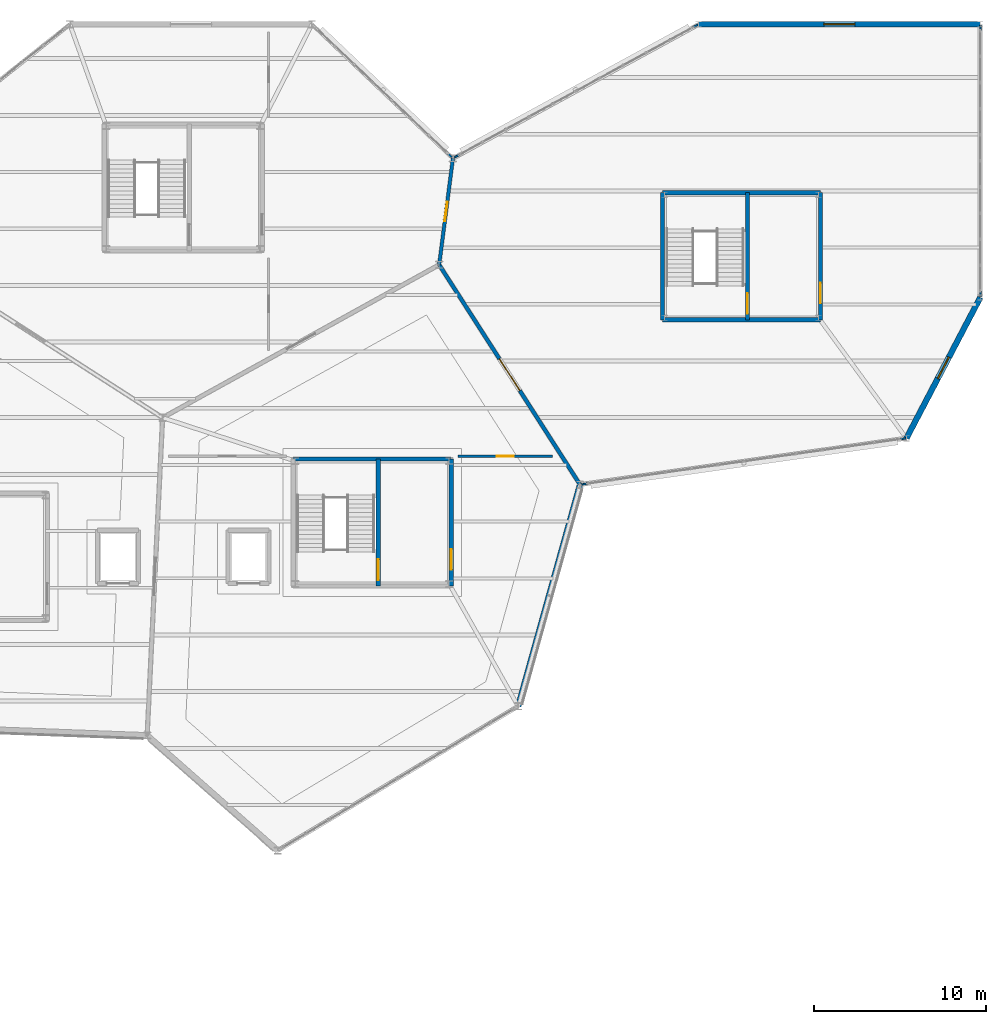
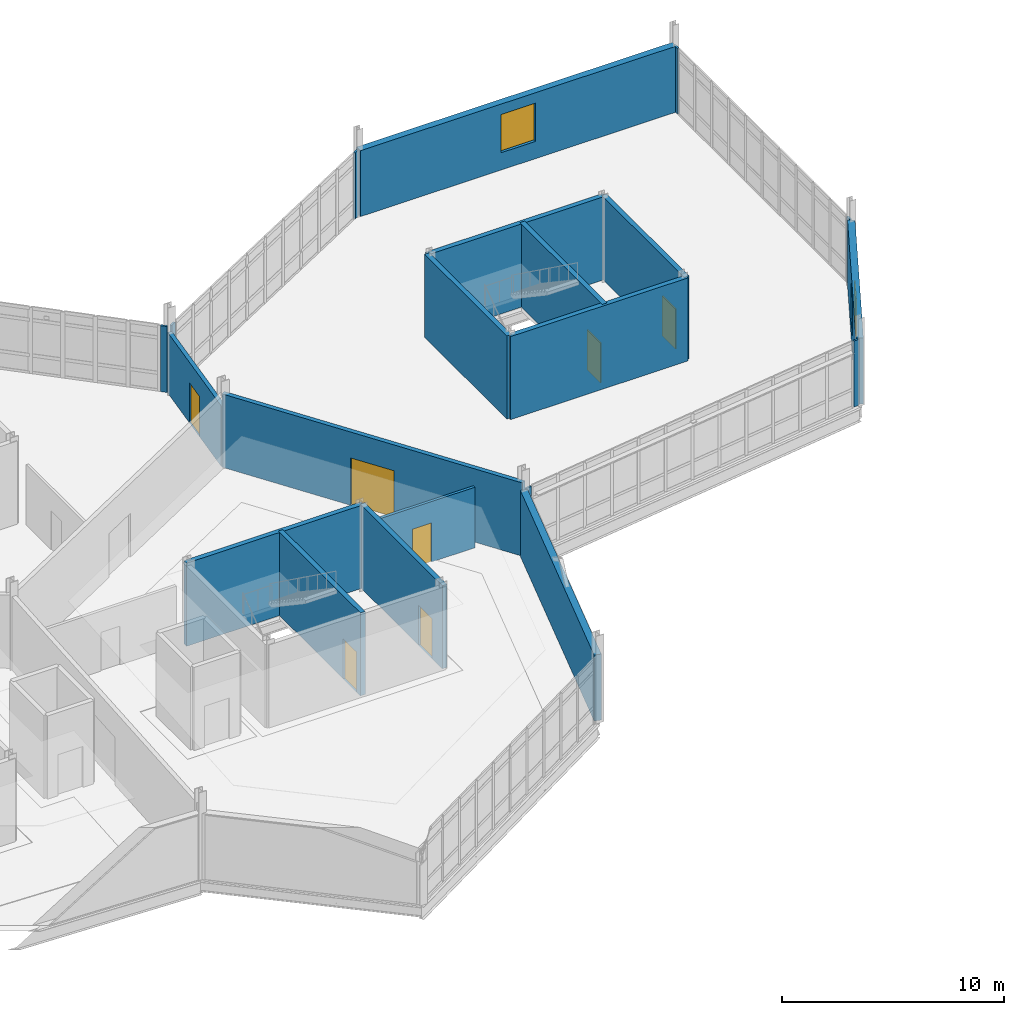
# One storey, part 119 of 134: 21 walls, 7 doors, 2 windows, 9 openings.
"""IFC4 building model written with IfcOpenShell, lengths in metres."""

from ifc_helpers import new_model, si_unit, direction, frame, frame_2d, origin, place, context, subcontext, project, spatial, rectangle, extrude, material, layer, layer_set, type_object, element, fill, save


model = new_model("IFC4")

# Units and contexts
model_context = context("Model", 3, precision=1e-05, world=origin(), true_north=direction((0.0, 1.0)))
body_context = subcontext(model_context, "Body", "Model", "MODEL_VIEW")
ifc_project = project(units=[si_unit("LENGTHUNIT", "METRE"), si_unit("AREAUNIT", "SQUARE_METRE"), si_unit("VOLUMEUNIT", "CUBIC_METRE"), si_unit("PLANEANGLEUNIT", "RADIAN"), si_unit("MASSUNIT", "GRAM", prefix="KILO")], contexts=[model_context])

# Site, building, storey
site_placement = place(None, origin())
site = spatial("IfcSite", under=ifc_project, at=site_placement, CompositionType="ELEMENT")
building_placement = place(site_placement, origin())
building = spatial("IfcBuilding", under=site, at=building_placement, Name="Tameran Prism Museum", CompositionType="ELEMENT")
storey_placement = place(building_placement, frame((0.0, 0.0, 5.39990234375)))
storey = spatial("IfcBuildingStorey", under=building, at=storey_placement, Name="L01", CompositionType="ELEMENT", Elevation=5.39990234375)

# Walls
ifc_material_1 = material(Name="Precast Concrete N40 (40 MPa)", Category="concrete")
ifc_layer_1 = layer(ifc_material_1, 0.094970703125)
ifc_layer_set_1 = layer_set([ifc_layer_1])
wall_type_1 = type_object("IfcWallType", Name="EW-CLOS-095", PredefinedType="SOLIDWALL", material=ifc_layer_set_1)
wall_1_placement = place(storey_placement, frame((135.403076171875, 104.48193359375, 0.0), z_axis=(0.0, 0.0, 1.0), x_axis=(0.726243974232, -0.687437044311, 0.0)))
element("IfcWall", 1, at=wall_1_placement, inside=storey, type_object=wall_type_1, Name="Facade Corner Closure EW-0172", PredefinedType="SOLIDWALL", context=body_context, shape_type="SweptSolid", body=[
    extrude(rectangle(XDim=0.308349609375, YDim=0.094970703125, at=frame_2d((0.154296875, 0.0))), origin(), (0.0, 0.0, 1.0), 3.6201171875),
])
for number, where, z_axis, x_axis, name in (
    (2, (162.05810546875, 87.89404296875, 0.0), (0.0, 0.0, 1.0), (-0.990232667812, -0.139424759628, 0.0), "Facade Corner Closure EW-0177"),
    (3, (143.506103515625, 85.257080078125, 0.0), (0.0, 0.0, 1.0), (-0.990232667812, -0.139424759628, 0.0), "Facade Corner Closure EW-0178"),
    (4, (166.39990234375, 111.9580078125, 0.0), (0.0, 0.0, 1.0), (0.0, -1.0, 0.0), "Facade Corner Closure EW-0180"),
):
    element("IfcWall", number, at=place(storey_placement, frame(where, z_axis=z_axis, x_axis=x_axis)), inside=storey, type_object=wall_type_1, Name=name, PredefinedType="SOLIDWALL", context=body_context, shape_type="SweptSolid", body=[
        extrude(rectangle(XDim=0.30810546875, YDim=0.094970703125, at=frame_2d((0.154052734375, 0.0))), origin(), (0.0, 0.0, 1.0), 3.6201171875),
    ])
for number, where, z_axis, x_axis, name in (
    (5, (166.39990234375, 96.449951171875, 0.0), (0.0, 0.0, 1.0), (0.0, -1.0, 0.0), "Facade Corner Closure EW-0181"),
    (6, (135.7900390625, 104.2490234375, 0.0), (0.0, 0.0, 1.0), (0.876984894636, 0.480517944077, 0.0), "Facade Corner Closure EW-0183"),
):
    element("IfcWall", number, at=place(storey_placement, frame(where, z_axis=z_axis, x_axis=x_axis)), inside=storey, type_object=wall_type_1, Name=name, PredefinedType="SOLIDWALL", context=body_context, shape_type="SweptSolid", body=[
        extrude(rectangle(XDim=0.307861328125, YDim=0.094970703125, at=frame_2d((0.15380859375, 0.0))), origin(), (0.0, 0.0, 1.0), 3.6201171875),
    ])
wall_2_placement = place(storey_placement, frame((149.693115234375, 111.83203125, 0.0), z_axis=(0.0, 0.0, 1.0), x_axis=(0.876801617046, 0.480852289529, 0.0)))
element("IfcWall", 7, at=wall_2_placement, inside=storey, type_object=wall_type_1, Name="Facade Corner Closure EW-0184", PredefinedType="SOLIDWALL", context=body_context, shape_type="SweptSolid", body=[
    extrude(rectangle(XDim=0.3076171875, YDim=0.094970703125, at=frame_2d((0.15380859375, 0.0))), origin(), (0.0, 0.0, 1.0), 3.6201171875),
])
ifc_material_2 = material(Name="Precast Concrete N40 (40 MPa)", Category="concrete")
ifc_layer_2 = layer(ifc_material_2, 0.340087890625)
ifc_layer_set_2 = layer_set([ifc_layer_2])
wall_type_2 = type_object("IfcWallType", Name="EW-GAL-340", PredefinedType="SOLIDWALL", material=ifc_layer_set_2)
wall_3_placement = place(storey_placement, frame((143.083984375, 85.14208984375, 0.0), z_axis=(0.0, 0.0, 1.0), x_axis=(-0.268810029922, -0.963193214165, 0.0)))
element("IfcWall", 8, at=wall_3_placement, inside=storey, type_object=wall_type_2, Name="Exterior Fluted Precast Wall EW-0170", PredefinedType="SOLIDWALL", context=body_context, shape_type="SweptSolid", body=[
    extrude(rectangle(XDim=13.332763671875, YDim=0.340087890625, at=frame_2d((6.66650390625, 0.0))), origin(), (0.0, 0.0, 1.0), 3.6201171875),
])

# Wall, opening, window
wall_4_placement = place(storey_placement, frame((166.39990234375, 96.10009765625, 0.0), z_axis=(0.0, 0.0, 1.0), x_axis=(-0.464385293852, -0.885633275602, 0.0)))
wall_4 = element("IfcWall", 9, at=wall_4_placement, inside=storey, type_object=wall_type_2, Name="Exterior Fluted Precast Wall EW-0179", PredefinedType="SOLIDWALL", context=body_context, shape_type="SweptSolid", body=[
    extrude(rectangle(XDim=9.259033203125, YDim=0.340087890625, at=frame_2d((4.62939453125, 0.0))), origin(), (0.0, 0.0, 1.0), 3.6201171875),
])
opening_1_placement = place(wall_4_placement, frame((3.928955078125, 0.0, 0.949951171875)))
opening_1 = element("IfcOpeningElement", 10, at=opening_1_placement, cuts=wall_4, Name="Opening W-006", PredefinedType="OPENING", context=body_context, shape_type="SweptSolid", body=[
    extrude(rectangle(XDim=1.39990234375, YDim=2.10009765625, at=frame_2d((0.699951171875, 1.050048828125))), frame((0.0, 0.179931640625, 0.0), z_axis=(0.0, -1.0, 0.0), x_axis=(1.0, 0.0, 0.0)), (0.0, 0.0, 1.0), 0.360107421875),
])
ifc_material_3 = material(Name="Cyclone Laminated Low-E Glass in 6063-T6 Frame", Category="glass")
window_type_1 = type_object("IfcWindowType", Name="WIN-W06", PartitioningType="SINGLE_PANEL", PredefinedType="WINDOW", material=ifc_material_3)
window_1_placement = place(opening_1_placement, origin())
window_1 = element("IfcWindow", 11, at=window_1_placement, inside=storey, type_object=window_type_1, Name="Solar-Shaded Window W-006", OverallHeight=2.10009765625, OverallWidth=1.39990234375, PartitioningType="SINGLE_PANEL", PredefinedType="WINDOW", context=body_context, shape_type="SweptSolid", body=[
    extrude(rectangle(XDim=1.39990234375, YDim=2.10009765625, at=frame_2d((0.699951171875, 1.050048828125))), frame((0.0, 0.030029296875, 0.0), z_axis=(0.0, -1.0, 0.0), x_axis=(1.0, 0.0, 0.0)), (0.0, 0.0, 1.0), 0.06005859375),
])
fill(opening_1, window_1)

wall_5_placement = place(storey_placement, frame((150.0, 112.0, 0.0), z_axis=(0.0, 0.0, 1.0), x_axis=(1.0, 0.0, 0.0)))
wall_5 = element("IfcWall", 12, at=wall_5_placement, inside=storey, type_object=wall_type_2, Name="Exterior Fluted Precast Wall EW-0182", PredefinedType="SOLIDWALL", context=body_context, shape_type="SweptSolid", body=[
    extrude(rectangle(XDim=16.39990234375, YDim=0.340087890625, at=frame_2d((8.199951171875, 0.0))), origin(), (0.0, 0.0, 1.0), 3.6201171875),
])
opening_2_placement = place(wall_5_placement, frame((7.300048828125, 0.0, 0.949951171875)))
opening_2 = element("IfcOpeningElement", 13, at=opening_2_placement, cuts=wall_5, Name="Opening W-007", PredefinedType="OPENING", context=body_context, shape_type="SweptSolid", body=[
    extrude(rectangle(XDim=1.800048828125, YDim=2.10009765625, at=frame_2d((0.89990234375, 1.050048828125))), frame((0.0, 0.179931640625, 0.0), z_axis=(0.0, -1.0, 0.0), x_axis=(1.0, 0.0, 0.0)), (0.0, 0.0, 1.0), 0.360107421875),
])
ifc_material_4 = material(Name="Cyclone Laminated Low-E Glass in 6063-T6 Frame", Category="glass")
window_type_2 = type_object("IfcWindowType", Name="WIN-W07", PartitioningType="SINGLE_PANEL", PredefinedType="WINDOW", material=ifc_material_4)
window_2_placement = place(opening_2_placement, origin())
window_2 = element("IfcWindow", 14, at=window_2_placement, inside=storey, type_object=window_type_2, Name="Solar-Shaded Window W-007", OverallHeight=2.10009765625, OverallWidth=1.800048828125, PartitioningType="SINGLE_PANEL", PredefinedType="WINDOW", context=body_context, shape_type="SweptSolid", body=[
    extrude(rectangle(XDim=1.800048828125, YDim=2.10009765625, at=frame_2d((0.89990234375, 1.050048828125))), frame((0.0, 0.030029296875, 0.0), z_axis=(0.0, -1.0, 0.0), x_axis=(1.0, 0.0, 0.0)), (0.0, 0.0, 1.0), 0.06005859375),
])
fill(opening_2, window_2)

# Wall, opening, door
ifc_material_5 = material(Name="Concrete N32 (32 MPa)", Category="concrete")
ifc_layer_3 = layer(ifc_material_5, 0.205078125)
ifc_layer_set_3 = layer_set([ifc_layer_3])
wall_type_3 = type_object("IfcWallType", Name="IW-CMP-205", PredefinedType="SOLIDWALL", material=ifc_layer_set_3)
wall_6_placement = place(storey_placement, frame((134.89990234375, 98.0, 0.0), z_axis=(0.0, 0.0, 1.0), x_axis=(0.127980011854, 0.991776747341, 0.0)))
wall_6 = element("IfcWall", 15, at=wall_6_placement, inside=storey, type_object=wall_type_3, Name="Compartment Wall IW-0080", PredefinedType="SOLIDWALL", context=body_context, shape_type="SweptSolid", body=[
    extrude(rectangle(XDim=6.25146484375, YDim=0.205078125, at=frame_2d((3.125732421875, 0.0))), origin(), (0.0, 0.0, 1.0), 3.320068359375),
])
opening_3_placement = place(wall_6_placement, frame((2.551025390625, 0.0, 0.0)))
opening_3 = element("IfcOpeningElement", 16, at=opening_3_placement, cuts=wall_6, Name="Opening ID-0079", PredefinedType="OPENING", context=body_context, shape_type="SweptSolid", body=[
    extrude(rectangle(XDim=1.14990234375, YDim=2.199951171875, at=frame_2d((0.574951171875, 1.10009765625))), frame((0.0, 0.112548828125, 0.0), z_axis=(0.0, -1.0, 0.0), x_axis=(1.0, 0.0, 0.0)), (0.0, 0.0, 1.0), 0.22509765625),
])
ifc_material_6 = material(Name="Fire-Rated Steel Door Leaf and Frame", Category="steel")
door_type_1 = type_object("IfcDoorType", Name="DR-FD-120B", OperationType="NOTDEFINED", PredefinedType="DOOR", material=ifc_material_6)
door_1_placement = place(opening_3_placement, origin())
door_1 = element("IfcDoor", 17, at=door_1_placement, inside=storey, type_object=door_type_1, Name="Compartment Door ID-0079", OperationType="SINGLE_SWING_RIGHT", OverallHeight=2.199951171875, OverallWidth=1.14990234375, PredefinedType="DOOR", context=body_context, shape_type="SweptSolid", body=[
    extrude(rectangle(XDim=1.14990234375, YDim=2.199951171875, at=frame_2d((0.574951171875, 1.10009765625))), frame((0.0, 0.02490234375, 0.0), z_axis=(0.0, -1.0, 0.0), x_axis=(1.0, 0.0, 0.0)), (0.0, 0.0, 1.0), 0.050048828125),
])
fill(opening_3, door_1)

ifc_material_7 = material(Name="Concrete N40 (40 MPa)", Category="concrete")
ifc_layer_4 = layer(ifc_material_7, 0.22509765625)
ifc_layer_set_4 = layer_set([ifc_layer_4])
wall_type_4 = type_object("IfcWallType", Name="IW-CMP-225", PredefinedType="SOLIDWALL", material=ifc_layer_set_4)
wall_7_placement = place(storey_placement, frame((143.10009765625, 85.199951171875, 0.0), z_axis=(0.0, 0.0, 1.0), x_axis=(-0.539434641352, 0.842027474439, 0.0)))
wall_7 = element("IfcWall", 18, at=wall_7_placement, inside=storey, type_object=wall_type_4, Name="Compartment Wall IW-0079", PredefinedType="SOLIDWALL", context=body_context, shape_type="SweptSolid", body=[
    extrude(rectangle(XDim=15.201416015625, YDim=0.22509765625, at=frame_2d((7.6005859375, 0.0))), origin(), (0.0, 0.0, 1.0), 4.02001953125),
])
opening_4_placement = place(wall_7_placement, frame((6.5009765625, 0.0, 0.0)))
opening_4 = element("IfcOpeningElement", 19, at=opening_4_placement, cuts=wall_7, Name="Opening ID-0078", PredefinedType="OPENING", context=body_context, shape_type="SweptSolid", body=[
    extrude(rectangle(XDim=2.199951171875, YDim=2.60009765625, at=frame_2d((1.10009765625, 1.300048828125))), frame((0.0, 0.12255859375, 0.0), z_axis=(0.0, -1.0, 0.0), x_axis=(1.0, 0.0, 0.0)), (0.0, 0.0, 1.0), 0.2451171875),
])
ifc_material_8 = material(Name="Fire-Rated Steel Door Leaf and Frame", Category="steel")
door_type_2 = type_object("IfcDoorType", Name="DR-GAL-220", OperationType="DOUBLE_DOOR_SINGLE_SWING", PredefinedType="DOOR", material=ifc_material_8)
door_2_placement = place(opening_4_placement, origin())
door_2 = element("IfcDoor", 20, at=door_2_placement, inside=storey, type_object=door_type_2, Name="Compartment Door ID-0078", OperationType="DOUBLE_DOOR_SINGLE_SWING", OverallHeight=2.60009765625, OverallWidth=2.199951171875, PredefinedType="DOOR", context=body_context, shape_type="SweptSolid", body=[
    extrude(rectangle(XDim=2.199951171875, YDim=2.60009765625, at=frame_2d((1.10009765625, 1.300048828125))), frame((0.0, 0.02490234375, 0.0), z_axis=(0.0, -1.0, 0.0), x_axis=(1.0, 0.0, 0.0)), (0.0, 0.0, 1.0), 0.050048828125),
])
fill(opening_4, door_2)

# Wall
ifc_material_9 = material(Name="Concrete N40 (40 MPa)", Category="concrete")
ifc_layer_5 = layer(ifc_material_9, 0.25)
ifc_layer_set_5 = layer_set([ifc_layer_5])
wall_type_5 = type_object("IfcWallType", Name="IW-COR-250", PredefinedType="SHEAR", material=ifc_layer_set_5)
wall_8_placement = place(storey_placement, frame((126.39990234375, 86.699951171875, 0.0), z_axis=(0.0, 0.0, 1.0), x_axis=(1.0, 0.0, 0.0)))
element("IfcWall", 21, at=wall_8_placement, inside=storey, type_object=wall_type_5, Name="Core Shear Wall CW-2-L01-N", PredefinedType="SHEAR", context=body_context, shape_type="SweptSolid", body=[
    extrude(rectangle(XDim=9.2001953125, YDim=0.25, at=frame_2d((4.60009765625, 0.0))), origin(), (0.0, 0.0, 1.0), 4.56005859375),
])

# Wall, opening, door
wall_9_placement = place(storey_placement, frame((135.60009765625, 86.699951171875, 0.0), z_axis=(0.0, 0.0, 1.0), x_axis=(0.0, -1.0, 0.0)))
wall_9 = element("IfcWall", 22, at=wall_9_placement, inside=storey, type_object=wall_type_5, Name="Core Shear Wall CW-2-L01-E", PredefinedType="SHEAR", context=body_context, shape_type="SweptSolid", body=[
    extrude(rectangle(XDim=7.39990234375, YDim=0.25, at=frame_2d((3.699951171875, 0.0))), origin(), (0.0, 0.0, 1.0), 4.56005859375),
])
opening_5_placement = place(wall_9_placement, frame((5.25, 0.0, 0.0)))
opening_5 = element("IfcOpeningElement", 23, at=opening_5_placement, cuts=wall_9, Name="Opening FD-0187", PredefinedType="OPENING", context=body_context, shape_type="SweptSolid", body=[
    extrude(rectangle(XDim=1.199951171875, YDim=2.199951171875, at=frame_2d((0.60009765625, 1.10009765625))), frame((0.0, 0.135009765625, 0.0), z_axis=(0.0, -1.0, 0.0), x_axis=(1.0, 0.0, 0.0)), (0.0, 0.0, 1.0), 0.27001953125),
])
ifc_material_10 = material(Name="Fire-Rated Steel Door Leaf and Frame", Category="steel")
door_type_3 = type_object("IfcDoorType", Name="DR-FD-120A", OperationType="NOTDEFINED", PredefinedType="DOOR", material=ifc_material_10)
door_3_placement = place(opening_5_placement, origin())
door_3 = element("IfcDoor", 24, at=door_3_placement, inside=storey, type_object=door_type_3, Name="Core Fire Door FD-0187", OperationType="SINGLE_SWING_LEFT", OverallHeight=2.199951171875, OverallWidth=1.199951171875, PredefinedType="DOOR", context=body_context, shape_type="SweptSolid", body=[
    extrude(rectangle(XDim=1.199951171875, YDim=2.199951171875, at=frame_2d((0.60009765625, 1.10009765625))), frame((0.0, 0.02490234375, 0.0), z_axis=(0.0, -1.0, 0.0), x_axis=(1.0, 0.0, 0.0)), (0.0, 0.0, 1.0), 0.050048828125),
])
fill(opening_5, door_3)

wall_10_placement = place(storey_placement, frame((131.35009765625, 86.699951171875, 0.0), z_axis=(0.0, 0.0, 1.0), x_axis=(0.0, -1.0, 0.0)))
wall_10 = element("IfcWall", 25, at=wall_10_placement, inside=storey, type_object=wall_type_5, Name="Core Shear Wall CW-2-L01-M", PredefinedType="SHEAR", context=body_context, shape_type="SweptSolid", body=[
    extrude(rectangle(XDim=7.39990234375, YDim=0.25, at=frame_2d((3.699951171875, 0.0))), origin(), (0.0, 0.0, 1.0), 4.56005859375),
])
opening_6_placement = place(wall_10_placement, frame((5.85009765625, 0.0, 0.0)))
opening_6 = element("IfcOpeningElement", 26, at=opening_6_placement, cuts=wall_10, Name="Opening FD-0188", PredefinedType="OPENING", context=body_context, shape_type="SweptSolid", body=[
    extrude(rectangle(XDim=1.199951171875, YDim=2.199951171875, at=frame_2d((0.60009765625, 1.10009765625))), frame((0.0, 0.135009765625, 0.0), z_axis=(0.0, -1.0, 0.0), x_axis=(1.0, 0.0, 0.0)), (0.0, 0.0, 1.0), 0.27001953125),
])
door_4_placement = place(opening_6_placement, origin())
door_4 = element("IfcDoor", 27, at=door_4_placement, inside=storey, type_object=door_type_3, Name="Core Fire Door FD-0188", OperationType="SINGLE_SWING_RIGHT", OverallHeight=2.199951171875, OverallWidth=1.199951171875, PredefinedType="DOOR", context=body_context, shape_type="SweptSolid", body=[
    extrude(rectangle(XDim=1.199951171875, YDim=2.199951171875, at=frame_2d((0.60009765625, 1.10009765625))), frame((0.0, 0.02490234375, 0.0), z_axis=(0.0, -1.0, 0.0), x_axis=(1.0, 0.0, 0.0)), (0.0, 0.0, 1.0), 0.050048828125),
])
fill(opening_6, door_4)

# Walls
wall_11_placement = place(storey_placement, frame((147.89990234375, 94.800048828125, 0.0), z_axis=(0.0, 0.0, 1.0), x_axis=(0.0, 1.0, 0.0)))
element("IfcWall", 28, at=wall_11_placement, inside=storey, type_object=wall_type_5, Name="Core Shear Wall CW-11-L01-W", PredefinedType="SHEAR", context=body_context, shape_type="SweptSolid", body=[
    extrude(rectangle(XDim=7.39990234375, YDim=0.25, at=frame_2d((3.699951171875, 0.0))), origin(), (0.0, 0.0, 1.0), 4.56005859375),
])
for number, where, z_axis, x_axis, name in (
    (29, (147.89990234375, 102.199951171875, 0.0), (0.0, 0.0, 1.0), (1.0, 0.0, 0.0), "Core Shear Wall CW-11-L01-N"),
    (30, (157.10009765625, 94.800048828125, 0.0), (0.0, 0.0, 1.0), (-1.0, 0.0, 0.0), "Core Shear Wall CW-11-L01-S"),
):
    element("IfcWall", number, at=place(storey_placement, frame(where, z_axis=z_axis, x_axis=x_axis)), inside=storey, type_object=wall_type_5, Name=name, PredefinedType="SHEAR", context=body_context, shape_type="SweptSolid", body=[
        extrude(rectangle(XDim=9.2001953125, YDim=0.25, at=frame_2d((4.60009765625, 0.0))), origin(), (0.0, 0.0, 1.0), 4.56005859375),
    ])

# Wall, opening, door
wall_12_placement = place(storey_placement, frame((157.10009765625, 102.199951171875, 0.0), z_axis=(0.0, 0.0, 1.0), x_axis=(0.0, -1.0, 0.0)))
wall_12 = element("IfcWall", 31, at=wall_12_placement, inside=storey, type_object=wall_type_5, Name="Core Shear Wall CW-11-L01-E", PredefinedType="SHEAR", context=body_context, shape_type="SweptSolid", body=[
    extrude(rectangle(XDim=7.39990234375, YDim=0.25, at=frame_2d((3.699951171875, 0.0))), origin(), (0.0, 0.0, 1.0), 4.56005859375),
])
opening_7_placement = place(wall_12_placement, frame((5.25, 0.0, 0.0)))
opening_7 = element("IfcOpeningElement", 32, at=opening_7_placement, cuts=wall_12, Name="Opening FD-0273", PredefinedType="OPENING", context=body_context, shape_type="SweptSolid", body=[
    extrude(rectangle(XDim=1.199951171875, YDim=2.199951171875, at=frame_2d((0.60009765625, 1.10009765625))), frame((0.0, 0.135009765625, 0.0), z_axis=(0.0, -1.0, 0.0), x_axis=(1.0, 0.0, 0.0)), (0.0, 0.0, 1.0), 0.27001953125),
])
door_5_placement = place(opening_7_placement, origin())
door_5 = element("IfcDoor", 33, at=door_5_placement, inside=storey, type_object=door_type_3, Name="Core Fire Door FD-0273", OperationType="SINGLE_SWING_LEFT", OverallHeight=2.199951171875, OverallWidth=1.199951171875, PredefinedType="DOOR", context=body_context, shape_type="SweptSolid", body=[
    extrude(rectangle(XDim=1.199951171875, YDim=2.199951171875, at=frame_2d((0.60009765625, 1.10009765625))), frame((0.0, 0.02490234375, 0.0), z_axis=(0.0, -1.0, 0.0), x_axis=(1.0, 0.0, 0.0)), (0.0, 0.0, 1.0), 0.050048828125),
])
fill(opening_7, door_5)

wall_13_placement = place(storey_placement, frame((152.85009765625, 102.199951171875, 0.0), z_axis=(0.0, 0.0, 1.0), x_axis=(0.0, -1.0, 0.0)))
wall_13 = element("IfcWall", 34, at=wall_13_placement, inside=storey, type_object=wall_type_5, Name="Core Shear Wall CW-11-L01-M", PredefinedType="SHEAR", context=body_context, shape_type="SweptSolid", body=[
    extrude(rectangle(XDim=7.39990234375, YDim=0.25, at=frame_2d((3.699951171875, 0.0))), origin(), (0.0, 0.0, 1.0), 4.56005859375),
])
opening_8_placement = place(wall_13_placement, frame((5.85009765625, 0.0, 0.0)))
opening_8 = element("IfcOpeningElement", 35, at=opening_8_placement, cuts=wall_13, Name="Opening FD-0274", PredefinedType="OPENING", context=body_context, shape_type="SweptSolid", body=[
    extrude(rectangle(XDim=1.199951171875, YDim=2.199951171875, at=frame_2d((0.60009765625, 1.10009765625))), frame((0.0, 0.135009765625, 0.0), z_axis=(0.0, -1.0, 0.0), x_axis=(1.0, 0.0, 0.0)), (0.0, 0.0, 1.0), 0.27001953125),
])
door_6_placement = place(opening_8_placement, origin())
door_6 = element("IfcDoor", 36, at=door_6_placement, inside=storey, type_object=door_type_3, Name="Core Fire Door FD-0274", OperationType="SINGLE_SWING_RIGHT", OverallHeight=2.199951171875, OverallWidth=1.199951171875, PredefinedType="DOOR", context=body_context, shape_type="SweptSolid", body=[
    extrude(rectangle(XDim=1.199951171875, YDim=2.199951171875, at=frame_2d((0.60009765625, 1.10009765625))), frame((0.0, 0.02490234375, 0.0), z_axis=(0.0, -1.0, 0.0), x_axis=(1.0, 0.0, 0.0)), (0.0, 0.0, 1.0), 0.050048828125),
])
fill(opening_8, door_6)

ifc_material_11 = material(Name="Acoustic Seminar Stud Partition")
ifc_layer_6 = layer(ifc_material_11, 0.139892578125)
ifc_layer_set_6 = layer_set([ifc_layer_6])
wall_type_6 = type_object("IfcWallType", Name="IW-PRT-140", PredefinedType="PARTITIONING", material=ifc_layer_set_6)
wall_14_placement = place(storey_placement, frame((136.0, 86.85888671875, 0.0), z_axis=(0.0, 0.0, 1.0), x_axis=(1.0, 0.0, 0.0)))
wall_14 = element("IfcWall", 37, at=wall_14_placement, inside=storey, type_object=wall_type_6, Name="Internal Partition PT-0100", PredefinedType="PARTITIONING", context=body_context, shape_type="SweptSolid", body=[
    extrude(rectangle(XDim=5.5029296875, YDim=0.139892578125, at=frame_2d((2.75146484375, 0.0))), origin(), (0.0, 0.0, 1.0), 3.320068359375),
])
opening_9_placement = place(wall_14_placement, frame((2.260986328125, 0.0, 0.0)))
opening_9 = element("IfcOpeningElement", 38, at=opening_9_placement, cuts=wall_14, Name="Opening ID-0099", PredefinedType="OPENING", context=body_context, shape_type="SweptSolid", body=[
    extrude(rectangle(XDim=0.97998046875, YDim=2.14990234375, at=frame_2d((0.489990234375, 1.074951171875))), frame((0.0, 0.079833984375, 0.0), z_axis=(0.0, -1.0, 0.0), x_axis=(1.0, 0.0, 0.0)), (0.0, 0.0, 1.0), 0.159912109375),
])
ifc_material_12 = material(Name="Acoustic Solid-Core Timber Door", Category="wood")
door_type_4 = type_object("IfcDoorType", Name="DR-INT-098", OperationType="NOTDEFINED", PredefinedType="DOOR", material=ifc_material_12)
door_7_placement = place(opening_9_placement, origin())
door_7 = element("IfcDoor", 39, at=door_7_placement, inside=storey, type_object=door_type_4, Name="Interior Room Door ID-0099", OperationType="SINGLE_SWING_RIGHT", OverallHeight=2.14990234375, OverallWidth=0.97998046875, PredefinedType="DOOR", context=body_context, shape_type="SweptSolid", body=[
    extrude(rectangle(XDim=0.97998046875, YDim=2.14990234375, at=frame_2d((0.489990234375, 1.074951171875))), frame((0.0, 0.02490234375, 0.0), z_axis=(0.0, -1.0, 0.0), x_axis=(1.0, 0.0, 0.0)), (0.0, 0.0, 1.0), 0.050048828125),
])
fill(opening_9, door_7)

save(model, "model.ifc")
